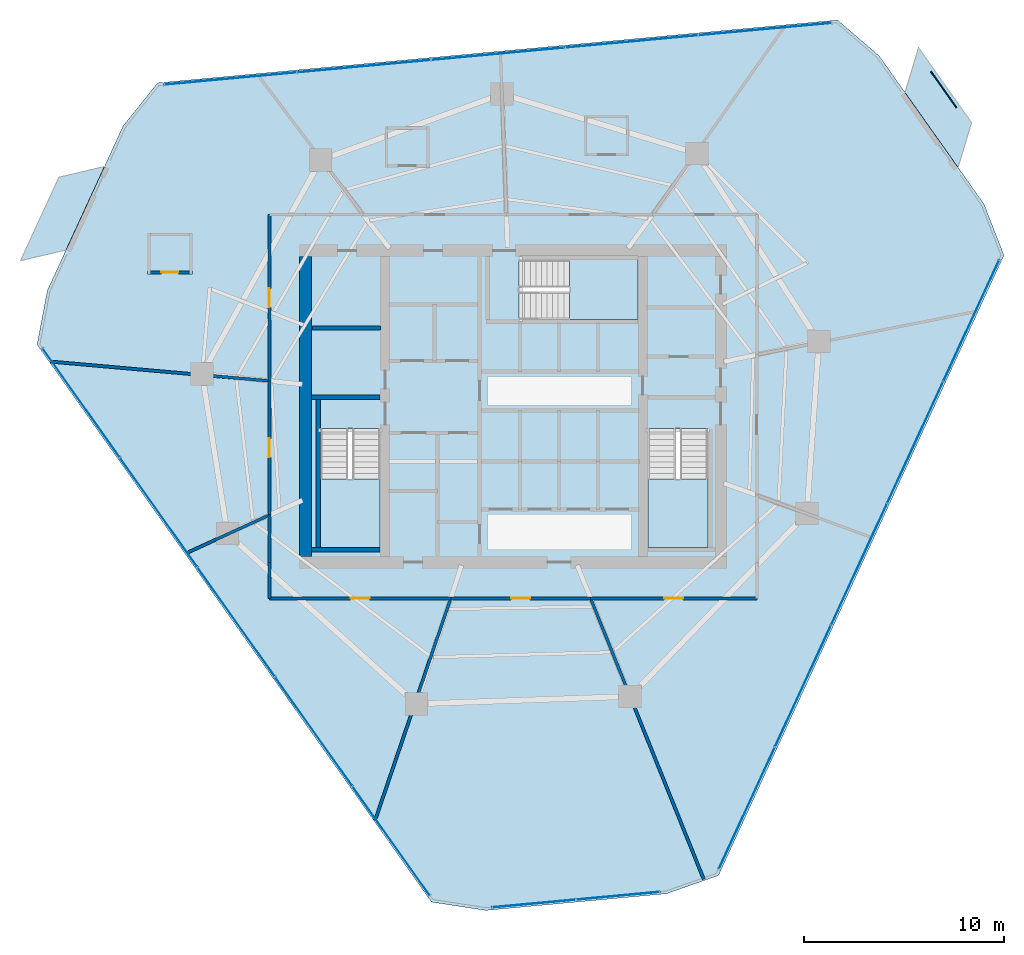
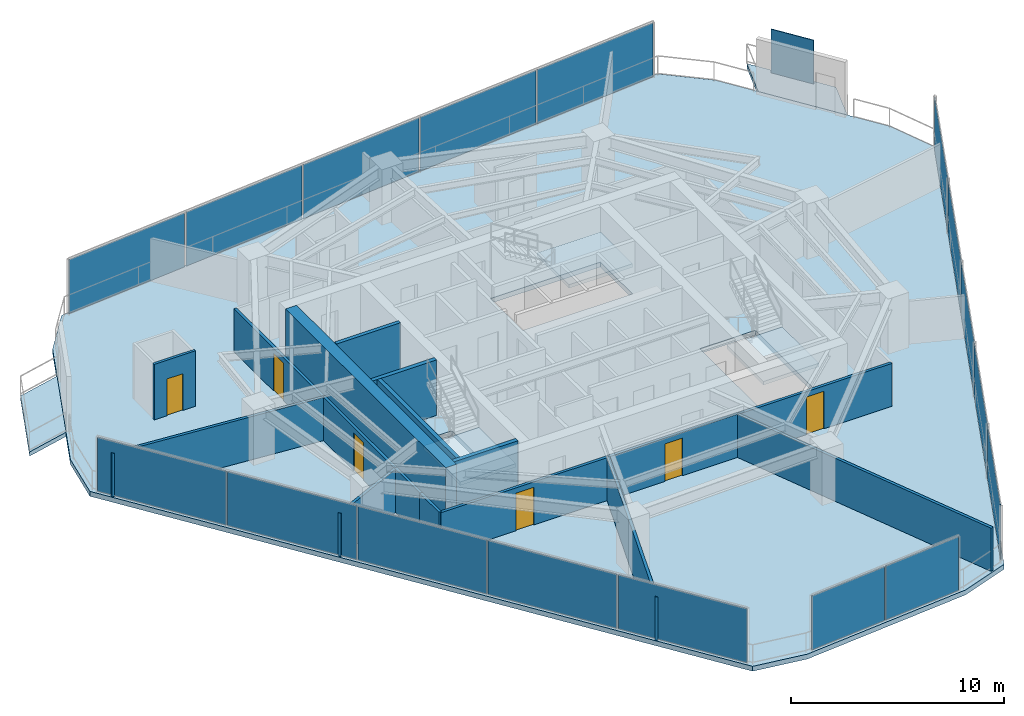
# One storey, part 24 of 30: 18 plates, 17 walls, 6 doors, 6 slabs, 6 openings, 7 elements without a shape of their own.
"""IFC4 building model written with IfcOpenShell, lengths in metres."""

from ifc_helpers import new_model, si_unit, direction, frame, frame_2d, origin, origin_2d, place, context, subcontext, project, spatial, polyline, rectangle, outline, extrude, material, layer, layer_set, type_object, element, fill, aggregate, save


model = new_model("IFC4")

# Units and contexts
model_context = context("Model", 3, precision=1e-05, world=origin(), true_north=direction((0.0, 1.0)))
body_context = subcontext(model_context, "Body", "Model", "MODEL_VIEW")
ifc_project = project(units=[si_unit("LENGTHUNIT", "METRE"), si_unit("AREAUNIT", "SQUARE_METRE"), si_unit("VOLUMEUNIT", "CUBIC_METRE"), si_unit("PLANEANGLEUNIT", "RADIAN"), si_unit("MASSUNIT", "GRAM", prefix="KILO")], contexts=[model_context])

# Site, building, storey
site_placement = place(None, origin())
site = spatial("IfcSite", under=ifc_project, at=site_placement, CompositionType="ELEMENT")
building_placement = place(site_placement, origin())
building = spatial("IfcBuilding", under=site, at=building_placement, Name="Qarnah Convention Tower", CompositionType="ELEMENT")
storey_placement = place(building_placement, frame((0.0, 0.0, 86.699951171875)))
storey = spatial("IfcBuildingStorey", under=building, at=storey_placement, Name="L22", CompositionType="ELEMENT", Elevation=86.699951171875)

# Curtain wall, plates
ifc_material_1 = material(Name="Tempered Low-E dark glass", Category="glass")
ifc_layer_1 = layer(ifc_material_1, 0.169921875)
ifc_layer_set_1 = layer_set([ifc_layer_1], Name="Tempered Low-E dark glass")
curtain_wall_type = type_object("IfcCurtainWallType", Name="CWS-02", PredefinedType="NOTDEFINED", material=ifc_layer_set_1)
curtain_wall_1_placement = place(storey_placement, origin())
curtain_wall_1 = element("IfcCurtainWall", 1, at=curtain_wall_1_placement, inside=storey, type_object=curtain_wall_type, Name="L22 unitised curtain wall CW-L22-F1", PredefinedType="NOTDEFINED")
ifc_layer_2 = layer(ifc_material_1, 0.030029296875)
ifc_layer_set_2 = layer_set([ifc_layer_2], Name="Tempered Low-E dark glass")
plate_type_1 = type_object("IfcPlateType", Name="PNL-T2", PredefinedType="CURTAIN_PANEL", material=ifc_layer_set_2)
plate_1_placement = place(storey_placement, frame((23.061279296875, 42.81689453125, 0.0400390625), z_axis=(0.0, 0.0, 1.0), x_axis=(0.995756103548, 0.092031419885, 0.0)))
plate_1 = element("IfcPlate", 2, at=plate_1_placement, type_object=plate_type_1, Name="CW-L22-F1 curtain panel 1.1", PredefinedType="CURTAIN_PANEL", context=body_context, shape_type="SweptSolid", body=[
    extrude(rectangle(XDim=6.635009765625, YDim=0.030029296875, at=origin_2d()), origin(), (0.0, 0.0, 1.0), 3.090087890625),
])
plate_2_placement = place(storey_placement, frame((29.747802734375, 43.43505859375, 0.0400390625), z_axis=(0.0, 0.0, 1.0), x_axis=(0.995756103548, 0.092031419885, 0.0)))
plate_2 = element("IfcPlate", 3, at=plate_2_placement, type_object=plate_type_1, Name="CW-L22-F1 curtain panel 2.1", PredefinedType="CURTAIN_PANEL", context=body_context, shape_type="SweptSolid", body=[
    extrude(rectangle(XDim=6.635009765625, YDim=0.030029296875, at=origin_2d()), origin(), (0.0, 0.0, 1.0), 3.090087890625),
])
plate_3_placement = place(storey_placement, frame((36.4345703125, 44.052978515625, 0.0400390625), z_axis=(0.0, 0.0, 1.0), x_axis=(0.995756103548, 0.092031419885, 0.0)))
plate_3 = element("IfcPlate", 4, at=plate_3_placement, type_object=plate_type_1, Name="CW-L22-F1 curtain panel 3.1", PredefinedType="CURTAIN_PANEL", context=body_context, shape_type="SweptSolid", body=[
    extrude(rectangle(XDim=6.635009765625, YDim=0.030029296875, at=origin_2d()), origin(), (0.0, 0.0, 1.0), 3.090087890625),
])
plate_4_placement = place(storey_placement, frame((43.12109375, 44.6708984375, 0.0400390625), z_axis=(0.0, 0.0, 1.0), x_axis=(0.995756103548, 0.092031419885, 0.0)))
plate_4 = element("IfcPlate", 5, at=plate_4_placement, type_object=plate_type_1, Name="CW-L22-F1 curtain panel 4.1", PredefinedType="CURTAIN_PANEL", context=body_context, shape_type="SweptSolid", body=[
    extrude(rectangle(XDim=6.635009765625, YDim=0.030029296875, at=origin_2d()), origin(), (0.0, 0.0, 1.0), 3.090087890625),
])
plate_5_placement = place(storey_placement, frame((49.8076171875, 45.2890625, 0.0400390625), z_axis=(0.0, 0.0, 1.0), x_axis=(0.995756103548, 0.092031419885, 0.0)))
plate_5 = element("IfcPlate", 6, at=plate_5_placement, type_object=plate_type_1, Name="CW-L22-F1 curtain panel 5.1", PredefinedType="CURTAIN_PANEL", context=body_context, shape_type="SweptSolid", body=[
    extrude(rectangle(XDim=6.635009765625, YDim=0.030029296875, at=origin_2d()), origin(), (0.0, 0.0, 1.0), 3.090087890625),
])
aggregate(curtain_wall_1, [plate_1, plate_2, plate_3, plate_4, plate_5])

curtain_wall_2_placement = place(storey_placement, origin())
curtain_wall_2 = element("IfcCurtainWall", 7, at=curtain_wall_2_placement, inside=storey, type_object=curtain_wall_type, Name="L22 unitised curtain wall CW-L22-F2", PredefinedType="NOTDEFINED")
plate_6_placement = place(storey_placement, frame((31.1005859375, 4.65185546875, 0.0400390625), z_axis=(0.0, 0.0, 1.0), x_axis=(-0.57758672318, 0.81632933134, 0.0)))
plate_6 = element("IfcPlate", 8, at=plate_6_placement, type_object=plate_type_1, Name="CW-L22-F2 curtain panel 1.1", PredefinedType="CURTAIN_PANEL", context=body_context, shape_type="SweptSolid", body=[
    extrude(rectangle(XDim=6.63525390625, YDim=0.030029296875, at=origin_2d()), origin(), (0.0, 0.0, 1.0), 3.090087890625),
])
plate_7_placement = place(storey_placement, frame((27.22216796875, 10.1337890625, 0.0400390625), z_axis=(0.0, 0.0, 1.0), x_axis=(-0.57758672318, 0.81632933134, 0.0)))
plate_7 = element("IfcPlate", 9, at=plate_7_placement, type_object=plate_type_1, Name="CW-L22-F2 curtain panel 2.1", PredefinedType="CURTAIN_PANEL", context=body_context, shape_type="SweptSolid", body=[
    extrude(rectangle(XDim=6.63525390625, YDim=0.030029296875, at=origin_2d()), origin(), (0.0, 0.0, 1.0), 3.090087890625),
])
plate_8_placement = place(storey_placement, frame((23.343505859375, 15.615478515625, 0.0400390625), z_axis=(0.0, 0.0, 1.0), x_axis=(-0.57758672318, 0.81632933134, 0.0)))
plate_8 = element("IfcPlate", 10, at=plate_8_placement, type_object=plate_type_1, Name="CW-L22-F2 curtain panel 3.1", PredefinedType="CURTAIN_PANEL", context=body_context, shape_type="SweptSolid", body=[
    extrude(rectangle(XDim=6.63525390625, YDim=0.030029296875, at=origin_2d()), origin(), (0.0, 0.0, 1.0), 3.090087890625),
])
plate_9_placement = place(storey_placement, frame((19.46484375, 21.097412109375, 0.0400390625), z_axis=(0.0, 0.0, 1.0), x_axis=(-0.57758672318, 0.81632933134, 0.0)))
plate_9 = element("IfcPlate", 11, at=plate_9_placement, type_object=plate_type_1, Name="CW-L22-F2 curtain panel 4.1", PredefinedType="CURTAIN_PANEL", context=body_context, shape_type="SweptSolid", body=[
    extrude(rectangle(XDim=6.63525390625, YDim=0.030029296875, at=origin_2d()), origin(), (0.0, 0.0, 1.0), 3.090087890625),
])
plate_10_placement = place(storey_placement, frame((15.586181640625, 26.5791015625, 0.0400390625), z_axis=(0.0, 0.0, 1.0), x_axis=(-0.57758672318, 0.81632933134, 0.0)))
plate_10 = element("IfcPlate", 12, at=plate_10_placement, type_object=plate_type_1, Name="CW-L22-F2 curtain panel 5.1", PredefinedType="CURTAIN_PANEL", context=body_context, shape_type="SweptSolid", body=[
    extrude(rectangle(XDim=6.63525390625, YDim=0.030029296875, at=origin_2d()), origin(), (0.0, 0.0, 1.0), 3.090087890625),
])
aggregate(curtain_wall_2, [plate_6, plate_7, plate_8, plate_9, plate_10])

curtain_wall_3_placement = place(storey_placement, origin())
curtain_wall_3 = element("IfcCurtainWall", 13, at=curtain_wall_3_placement, inside=storey, type_object=curtain_wall_type, Name="L22 unitised curtain wall CW-L22-F3", PredefinedType="NOTDEFINED")
plate_11_placement = place(storey_placement, frame((60.1328125, 30.6962890625, 0.0400390625), z_axis=(0.0, 0.0, 1.0), x_axis=(-0.418223177755, -0.908344303438, 0.0)))
plate_11 = element("IfcPlate", 14, at=plate_11_placement, type_object=plate_type_1, Name="CW-L22-F3 curtain panel 1.1", PredefinedType="CURTAIN_PANEL", context=body_context, shape_type="SweptSolid", body=[
    extrude(rectangle(XDim=6.635009765625, YDim=0.030029296875, at=origin_2d()), origin(), (0.0, 0.0, 1.0), 3.090087890625),
])
plate_12_placement = place(storey_placement, frame((57.324462890625, 24.5966796875, 0.0400390625), z_axis=(0.0, 0.0, 1.0), x_axis=(-0.418223177755, -0.908344303438, 0.0)))
plate_12 = element("IfcPlate", 15, at=plate_12_placement, type_object=plate_type_1, Name="CW-L22-F3 curtain panel 2.1", PredefinedType="CURTAIN_PANEL", context=body_context, shape_type="SweptSolid", body=[
    extrude(rectangle(XDim=6.635009765625, YDim=0.030029296875, at=origin_2d()), origin(), (0.0, 0.0, 1.0), 3.090087890625),
])
plate_13_placement = place(storey_placement, frame((54.51611328125, 18.4970703125, 0.0400390625), z_axis=(0.0, 0.0, 1.0), x_axis=(-0.418223177755, -0.908344303438, 0.0)))
plate_13 = element("IfcPlate", 16, at=plate_13_placement, type_object=plate_type_1, Name="CW-L22-F3 curtain panel 3.1", PredefinedType="CURTAIN_PANEL", context=body_context, shape_type="SweptSolid", body=[
    extrude(rectangle(XDim=6.635009765625, YDim=0.030029296875, at=origin_2d()), origin(), (0.0, 0.0, 1.0), 3.090087890625),
])
plate_14_placement = place(storey_placement, frame((51.70751953125, 12.3974609375, 0.0400390625), z_axis=(0.0, 0.0, 1.0), x_axis=(-0.418223177755, -0.908344303438, 0.0)))
plate_14 = element("IfcPlate", 17, at=plate_14_placement, type_object=plate_type_1, Name="CW-L22-F3 curtain panel 4.1", PredefinedType="CURTAIN_PANEL", context=body_context, shape_type="SweptSolid", body=[
    extrude(rectangle(XDim=6.635009765625, YDim=0.030029296875, at=origin_2d()), origin(), (0.0, 0.0, 1.0), 3.090087890625),
])
plate_15_placement = place(storey_placement, frame((48.899169921875, 6.2978515625, 0.0400390625), z_axis=(0.0, 0.0, 1.0), x_axis=(-0.418223177755, -0.908344303438, 0.0)))
plate_15 = element("IfcPlate", 18, at=plate_15_placement, type_object=plate_type_1, Name="CW-L22-F3 curtain panel 5.1", PredefinedType="CURTAIN_PANEL", context=body_context, shape_type="SweptSolid", body=[
    extrude(rectangle(XDim=6.635009765625, YDim=0.030029296875, at=origin_2d()), origin(), (0.0, 0.0, 1.0), 3.090087890625),
])
aggregate(curtain_wall_3, [plate_11, plate_12, plate_13, plate_14, plate_15])

curtain_wall_4_placement = place(storey_placement, origin())
curtain_wall_4 = element("IfcCurtainWall", 19, at=curtain_wall_4_placement, inside=storey, type_object=curtain_wall_type, Name="L22 unitised curtain wall CW-L22-F4", PredefinedType="NOTDEFINED")
plate_16_placement = place(storey_placement, frame((42.457763671875, 1.911865234375, 0.0400390625), z_axis=(0.0, 0.0, 1.0), x_axis=(-0.995746888317, -0.092131071886, 0.0)))
plate_16 = element("IfcPlate", 20, at=plate_16_placement, type_object=plate_type_1, Name="CW-L22-F4 curtain panel 1.1", PredefinedType="CURTAIN_PANEL", context=body_context, shape_type="SweptSolid", body=[
    extrude(rectangle(XDim=4.158447265625, YDim=0.030029296875, at=origin_2d()), origin(), (0.0, 0.0, 1.0), 3.090087890625),
])
plate_17_placement = place(storey_placement, frame((38.2373046875, 1.521240234375, 0.0400390625), z_axis=(0.0, 0.0, 1.0), x_axis=(-0.995746888317, -0.092131071886, 0.0)))
plate_17 = element("IfcPlate", 21, at=plate_17_placement, type_object=plate_type_1, Name="CW-L22-F4 curtain panel 2.1", PredefinedType="CURTAIN_PANEL", context=body_context, shape_type="SweptSolid", body=[
    extrude(rectangle(XDim=4.158447265625, YDim=0.030029296875, at=origin_2d()), origin(), (0.0, 0.0, 1.0), 3.090087890625),
])
aggregate(curtain_wall_4, [plate_16, plate_17])

# Plate
ifc_material_2 = material(Name="Black anodised aluminium", Category="aluminium")
ifc_layer_3 = layer(ifc_material_2, 0.044921875)
ifc_layer_set_3 = layer_set([ifc_layer_3], Name="Black anodised aluminium")
plate_type_2 = type_object("IfcPlateType", Name="SCR-BAL-18", PredefinedType="USERDEFINED", material=ifc_layer_set_3)
plate_18_placement = place(storey_placement, frame((58.7509765625, 42.257080078125, 0.0), z_axis=(0.0, 0.0, 1.0), x_axis=(0.577510011365, -0.81638360271, 0.0)))
element("IfcPlate", 22, at=plate_18_placement, inside=storey, type_object=plate_type_2, Name="L22 perforated desert solar screen BAL-L22-C1", ObjectType="SCREEN", PredefinedType="USERDEFINED", context=body_context, shape_type="SweptSolid", body=[
    extrude(rectangle(XDim=2.199951171875, YDim=0.044921875, at=origin_2d()), origin(), (0.0, 0.0, 1.0), 2.5),
])

# Slabs
ifc_material_3 = material(Name="Concrete C45/55", Category="concrete")
ifc_layer_4 = layer(ifc_material_3, 0.239990234375)
ifc_layer_set_4 = layer_set([ifc_layer_4], Name="Concrete C45/55")
slab_type_1 = type_object("IfcSlabType", Name="SLB-BAL-240", PredefinedType="USERDEFINED", material=ifc_layer_set_4)
slab_1_placement = place(storey_placement, frame((0.0, 0.0, -0.239990234375)))
element("IfcSlab", 23, at=slab_1_placement, inside=storey, type_object=slab_type_1, Name="L22 cantilevered balcony slab BAL-L22-C1", ObjectType="BALCONY", PredefinedType="USERDEFINED", context=body_context, shape_type="SweptSolid", body=[
    extrude(outline(polyline([(57.491943359375, 44.364990234375), (60.14892578125, 40.60888671875), (59.47412109375, 38.362060546875), (56.81689453125, 42.116943359375), (57.491943359375, 44.364990234375)])), origin(), (0.0, 0.0, 1.0), 0.239990234375),
])
slab_2_placement = place(storey_placement, frame((0.0, 0.0, -0.239990234375)))
element("IfcSlab", 24, at=slab_2_placement, inside=storey, type_object=slab_type_1, Name="L22 cantilevered balcony slab BAL-L22-C2", ObjectType="BALCONY", PredefinedType="USERDEFINED", context=body_context, shape_type="SweptSolid", body=[
    extrude(outline(polyline([(12.5439453125, 33.696044921875), (14.468017578125, 37.8740234375), (16.751953125, 38.4140625), (14.827880859375, 34.235107421875), (12.5439453125, 33.696044921875)])), origin(), (0.0, 0.0, 1.0), 0.239990234375),
])

# Stair, slab
ifc_material_4 = material(Name="Concrete C50/60", Category="concrete")
stair_type = type_object("IfcStairType", Name="STR-HTL", PredefinedType="HALF_TURN_STAIR", material=ifc_material_4)
stair_1_placement = place(storey_placement, origin())
stair_1 = element("IfcStair", 25, at=stair_1_placement, inside=storey, type_object=stair_type, Name="L22 Core exit stair ST-1", PredefinedType="HALF_TURN_STAIR")
ifc_layer_5 = layer(ifc_material_4, 0.199951171875)
ifc_layer_set_5 = layer_set([ifc_layer_5], Name="Concrete C50/60")
slab_type_2 = type_object("IfcSlabType", Name="SLB-LANDING-200", PredefinedType="LANDING", material=ifc_layer_set_5)
slab_3_placement = place(storey_placement, frame((0.0, 0.0, 1.525146484375)))
slab_3 = element("IfcSlab", 26, at=slab_3_placement, type_object=slab_type_2, Name="ST-1 landing 1", PredefinedType="LANDING", context=body_context, shape_type="SweptSolid", body=[
    extrude(outline(polyline([(27.550048828125, 22.780029296875), (27.550048828125, 19.35009765625), (30.550048828125, 19.35009765625), (30.550048828125, 22.780029296875), (27.550048828125, 22.780029296875)])), origin(), (0.0, 0.0, 1.0), 0.199951171875),
])
aggregate(stair_1, [slab_3])

stair_2_placement = place(storey_placement, origin())
stair_2 = element("IfcStair", 27, at=stair_2_placement, inside=storey, type_object=stair_type, Name="L22 Core exit stair ST-2", PredefinedType="HALF_TURN_STAIR")
slab_4_placement = place(storey_placement, frame((0.0, 0.0, 1.525146484375)))
slab_4 = element("IfcSlab", 28, at=slab_4_placement, type_object=slab_type_2, Name="ST-2 landing 1", PredefinedType="LANDING", context=body_context, shape_type="SweptSolid", body=[
    extrude(outline(polyline([(43.949951171875, 22.780029296875), (43.949951171875, 19.35009765625), (46.949951171875, 19.35009765625), (46.949951171875, 22.780029296875), (43.949951171875, 22.780029296875)])), origin(), (0.0, 0.0, 1.0), 0.199951171875),
])
aggregate(stair_2, [slab_4])

stair_3_placement = place(storey_placement, origin())
stair_3 = element("IfcStair", 29, at=stair_3_placement, inside=storey, type_object=stair_type, Name="L22 Core exit stair ST-3", PredefinedType="HALF_TURN_STAIR")
slab_5_placement = place(storey_placement, frame((0.0, 0.0, 1.525146484375)))
slab_5 = element("IfcSlab", 30, at=slab_5_placement, type_object=slab_type_2, Name="ST-3 landing 1", PredefinedType="LANDING", context=body_context, shape_type="SweptSolid", body=[
    extrude(outline(polyline([(40.02001953125, 30.75), (43.449951171875, 30.75), (43.449951171875, 33.75), (40.02001953125, 33.75), (40.02001953125, 30.75)])), origin(), (0.0, 0.0, 1.0), 0.199951171875),
])
aggregate(stair_3, [slab_5])

# Slab
ifc_layer_6 = layer(ifc_material_3, 0.280029296875)
ifc_layer_set_6 = layer_set([ifc_layer_6], Name="Concrete C45/55")
slab_type_3 = type_object("IfcSlabType", Name="SLB-TWR-280", PredefinedType="FLOOR", material=ifc_layer_set_6)
slab_6_placement = place(storey_placement, frame((0.0, 0.0, -0.280029296875)))
element("IfcSlab", 31, at=slab_6_placement, inside=storey, type_object=slab_type_3, Name="L22 structural floor slab", PredefinedType="FLOOR", context=body_context, shape_type="SweptSolid", body=[
    extrude(outline(polyline([(53.43896484375, 45.7451171875), (19.407958984375, 42.60009765625), (17.68505859375, 40.448974609375), (13.887939453125, 32.2041015625), (13.3759765625, 29.49609375), (33.114990234375, 1.596923828125), (35.839111328125, 1.178955078125), (44.8779296875, 2.014892578125), (47.47900390625, 2.925048828125), (61.77099609375, 33.968017578125), (60.77099609375, 36.535888671875), (55.528076171875, 43.947021484375), (53.43896484375, 45.7451171875)]), holes=[polyline([(27.550048828125, 25.300048828125), (27.550048828125, 19.35009765625), (30.550048828125, 19.35009765625), (30.550048828125, 25.300048828125), (27.550048828125, 25.300048828125)]), polyline([(43.949951171875, 25.300048828125), (43.949951171875, 19.35009765625), (46.949951171875, 19.35009765625), (46.949951171875, 25.300048828125), (43.949951171875, 25.300048828125)]), polyline([(37.5, 30.75), (43.449951171875, 30.75), (43.449951171875, 33.75), (37.5, 33.75), (37.5, 30.75)])]), origin(), (0.0, 0.0, 1.0), 0.280029296875),
])

# Walls
ifc_material_5 = material(Name="Concrete C60/75", Category="concrete")
ifc_layer_7 = layer(ifc_material_5, 0.60009765625)
ifc_layer_set_7 = layer_set([ifc_layer_7], Name="Concrete C60/75")
wall_type_1 = type_object("IfcWallType", Name="WL-CORE-600", PredefinedType="SHEAR", material=ifc_layer_set_7)
wall_1_placement = place(storey_placement, frame((26.800048828125, 18.89990234375, 0.0), z_axis=(0.0, 0.0, 1.0), x_axis=(0.0, 1.0, 0.0)))
element("IfcWall", 32, at=wall_1_placement, inside=storey, type_object=wall_type_1, Name="L22 core west shear wall", PredefinedType="SHEAR", context=body_context, shape_type="SweptSolid", body=[
    extrude(rectangle(XDim=15.0, YDim=0.60009765625, at=frame_2d((7.5, 0.0))), origin(), (0.0, 0.0, 1.0), 3.170166015625),
])
ifc_layer_8 = layer(ifc_material_3, 0.199951171875)
ifc_layer_set_8 = layer_set([ifc_layer_8], Name="Concrete C45/55")
wall_type_2 = type_object("IfcWallType", Name="WL-CORE-PART-200", PredefinedType="SOLIDWALL", material=ifc_layer_set_8)
wall_2_placement = place(storey_placement, frame((27.14990234375, 30.320068359375, 0.0), z_axis=(0.0, 0.0, 1.0), x_axis=(1.0, 0.0, 0.0)))
element("IfcWall", 33, at=wall_2_placement, inside=storey, type_object=wall_type_2, Name="L22 interior wall IW-L22-ELRN", PredefinedType="SOLIDWALL", context=body_context, shape_type="SweptSolid", body=[
    extrude(rectangle(XDim=3.4501953125, YDim=0.199951171875, at=frame_2d((1.72509765625, 0.0))), origin(), (0.0, 0.0, 1.0), 3.170166015625),
])
ifc_layer_9 = layer(ifc_material_5, 0.219970703125)
ifc_layer_set_9 = layer_set([ifc_layer_9], Name="Concrete C60/75")
wall_type_3 = type_object("IfcWallType", Name="WL-CORE-STAIR-220", PredefinedType="SHEAR", material=ifc_layer_set_9)
wall_3_placement = place(storey_placement, frame((27.10009765625, 26.860107421875, 0.0), z_axis=(0.0, 0.0, 1.0), x_axis=(1.0, 0.0, 0.0)))
element("IfcWall", 34, at=wall_3_placement, inside=storey, type_object=wall_type_3, Name="L22 stair shaft shear wall SW-L22-ST1N", PredefinedType="SHEAR", context=body_context, shape_type="SweptSolid", body=[
    extrude(rectangle(XDim=3.449951171875, YDim=0.219970703125, at=frame_2d((1.72509765625, 0.0))), origin(), (0.0, 0.0, 1.0), 3.170166015625),
])
wall_4_placement = place(storey_placement, frame((27.43994140625, 19.35009765625, 0.0), z_axis=(0.0, 0.0, 1.0), x_axis=(0.0, 1.0, 0.0)))
element("IfcWall", 35, at=wall_4_placement, inside=storey, type_object=wall_type_3, Name="L22 stair shaft shear wall SW-L22-ST1W", PredefinedType="SHEAR", context=body_context, shape_type="SweptSolid", body=[
    extrude(rectangle(XDim=7.39990234375, YDim=0.219970703125, at=frame_2d((3.699951171875, 0.0))), origin(), (0.0, 0.0, 1.0), 3.170166015625),
])
wall_5_placement = place(storey_placement, frame((27.10009765625, 19.239990234375, 0.0), z_axis=(0.0, 0.0, 1.0), x_axis=(1.0, 0.0, 0.0)))
element("IfcWall", 36, at=wall_5_placement, inside=storey, type_object=wall_type_3, Name="L22 stair shaft shear wall SW-L22-ST1S", PredefinedType="SHEAR", context=body_context, shape_type="SweptSolid", body=[
    extrude(rectangle(XDim=3.449951171875, YDim=0.219970703125, at=frame_2d((1.72509765625, 0.0))), origin(), (0.0, 0.0, 1.0), 3.170166015625),
])
ifc_material_6 = material(Name="Gypsum partition board")
ifc_layer_10 = layer(ifc_material_6, 0.14990234375)
ifc_layer_set_10 = layer_set([ifc_layer_10], Name="Gypsum partition board")
wall_type_4 = type_object("IfcWallType", Name="WL-SUITE-150", PredefinedType="PARTITIONING", material=ifc_layer_set_10)
wall_6_placement = place(storey_placement, frame((14.050048828125, 28.64794921875, 0.0), z_axis=(0.0, 0.0, 1.0), x_axis=(0.996130707866, -0.087884087557, 0.0)))
element("IfcWall", 37, at=wall_6_placement, inside=storey, type_object=wall_type_4, Name="L22 interior wall IW-L22-R-22", PredefinedType="PARTITIONING", context=body_context, shape_type="SweptSolid", body=[
    extrude(rectangle(XDim=10.992431640625, YDim=0.14990234375, at=frame_2d((5.49609375, 0.0))), origin(), (0.0, 0.0, 1.0), 2.467041015625),
])

# Wall, opening, door
wall_7_placement = place(storey_placement, frame((25.0, 27.681884765625, 0.0), z_axis=(0.0, 0.0, 1.0), x_axis=(0.0, 1.0, 0.0)))
wall_7 = element("IfcWall", 38, at=wall_7_placement, inside=storey, type_object=wall_type_4, Name="L22 interior wall IW-L22-R-23", PredefinedType="PARTITIONING", context=body_context, shape_type="SweptSolid", body=[
    extrude(rectangle(XDim=8.318115234375, YDim=0.14990234375, at=frame_2d((4.1591796875, 0.0))), origin(), (0.0, 0.0, 1.0), 2.455078125),
])
opening_1_placement = place(wall_7_placement, frame((3.68408203125, 0.0, 0.0)))
opening_1 = element("IfcOpeningElement", 39, at=opening_1_placement, cuts=wall_7, Name="Opening D-2221", PredefinedType="OPENING", context=body_context, shape_type="SweptSolid", body=[
    extrude(rectangle(XDim=0.949951171875, YDim=2.14990234375, at=frame_2d((0.47509765625, 1.074951171875))), frame((0.0, 0.0849609375, 0.0), z_axis=(0.0, -1.0, 0.0), x_axis=(1.0, 0.0, 0.0)), (0.0, 0.0, 1.0), 0.169921875),
])
ifc_material_7 = material(Name="Oak timber veneer", Category="wood")
door_type_1 = type_object("IfcDoorType", Name="DT-HOTEL-950", OperationType="NOTDEFINED", PredefinedType="DOOR", material=ifc_material_7)
door_1_placement = place(opening_1_placement, origin())
door_1 = element("IfcDoor", 40, at=door_1_placement, inside=storey, type_object=door_type_1, Name="Door D-2221", OperationType="SINGLE_SWING_RIGHT", OverallHeight=2.14990234375, OverallWidth=0.949951171875, PredefinedType="DOOR", context=body_context, shape_type="SweptSolid", body=[
    extrude(rectangle(XDim=0.949951171875, YDim=2.14990234375, at=frame_2d((0.47509765625, 1.074951171875))), frame((0.0, 0.02490234375, 0.0), z_axis=(0.0, -1.0, 0.0), x_axis=(1.0, 0.0, 0.0)), (0.0, 0.0, 1.0), 0.050048828125),
])
fill(opening_1, door_1)

# Wall
wall_8_placement = place(storey_placement, frame((20.85400390625, 19.06298828125, 0.0), z_axis=(0.0, 0.0, 1.0), x_axis=(0.908667517005, 0.417520470804, 0.0)))
element("IfcWall", 41, at=wall_8_placement, inside=storey, type_object=wall_type_4, Name="L22 interior wall IW-L22-R-26", PredefinedType="PARTITIONING", context=body_context, shape_type="SweptSolid", body=[
    extrude(rectangle(XDim=4.562744140625, YDim=0.14990234375, at=frame_2d((2.28125, 0.0))), origin(), (0.0, 0.0, 1.0), 2.467041015625),
])

# Wall, opening, door
wall_9_placement = place(storey_placement, frame((25.0, 20.968017578125, 0.0), z_axis=(0.0, 0.0, 1.0), x_axis=(0.0, 1.0, 0.0)))
wall_9 = element("IfcWall", 42, at=wall_9_placement, inside=storey, type_object=wall_type_4, Name="L22 interior wall IW-L22-R-27", PredefinedType="PARTITIONING", context=body_context, shape_type="SweptSolid", body=[
    extrude(rectangle(XDim=6.7138671875, YDim=0.14990234375, at=frame_2d((3.35693359375, 0.0))), origin(), (0.0, 0.0, 1.0), 2.467041015625),
])
opening_2_placement = place(wall_9_placement, frame((2.882080078125, 0.0, 0.0)))
opening_2 = element("IfcOpeningElement", 43, at=opening_2_placement, cuts=wall_9, Name="Opening D-2223", PredefinedType="OPENING", context=body_context, shape_type="SweptSolid", body=[
    extrude(rectangle(XDim=0.949951171875, YDim=2.14990234375, at=frame_2d((0.47509765625, 1.074951171875))), frame((0.0, 0.0849609375, 0.0), z_axis=(0.0, -1.0, 0.0), x_axis=(1.0, 0.0, 0.0)), (0.0, 0.0, 1.0), 0.169921875),
])
door_2_placement = place(opening_2_placement, origin())
door_2 = element("IfcDoor", 44, at=door_2_placement, inside=storey, type_object=door_type_1, Name="Door D-2223", OperationType="SINGLE_SWING_RIGHT", OverallHeight=2.14990234375, OverallWidth=0.949951171875, PredefinedType="DOOR", context=body_context, shape_type="SweptSolid", body=[
    extrude(rectangle(XDim=0.949951171875, YDim=2.14990234375, at=frame_2d((0.47509765625, 1.074951171875))), frame((0.0, 0.02490234375, 0.0), z_axis=(0.0, -1.0, 0.0), x_axis=(1.0, 0.0, 0.0)), (0.0, 0.0, 1.0), 0.050048828125),
])
fill(opening_2, door_2)

# Wall
wall_10_placement = place(storey_placement, frame((30.297119140625, 5.69189453125, 0.0), z_axis=(0.0, 0.0, 1.0), x_axis=(0.322449834119, 0.946586554139, 0.0)))
element("IfcWall", 45, at=wall_10_placement, inside=storey, type_object=wall_type_4, Name="L22 interior wall IW-L22-R-28", PredefinedType="PARTITIONING", context=body_context, shape_type="SweptSolid", body=[
    extrude(rectangle(XDim=11.73486328125, YDim=0.14990234375, at=frame_2d((5.867431640625, 0.0))), origin(), (0.0, 0.0, 1.0), 2.467041015625),
])

# Wall, opening, door
wall_11_placement = place(storey_placement, frame((34.0810546875, 16.800048828125, 0.0), z_axis=(0.0, 0.0, 1.0), x_axis=(-1.0, 0.0, 0.0)))
wall_11 = element("IfcWall", 46, at=wall_11_placement, inside=storey, type_object=wall_type_4, Name="L22 interior wall IW-L22-R-29", PredefinedType="PARTITIONING", context=body_context, shape_type="SweptSolid", body=[
    extrude(rectangle(XDim=9.0810546875, YDim=0.14990234375, at=frame_2d((4.54052734375, 0.0))), origin(), (0.0, 0.0, 1.0), 2.455078125),
])
opening_3_placement = place(wall_11_placement, frame((4.06591796875, 0.0, 0.0)))
opening_3 = element("IfcOpeningElement", 47, at=opening_3_placement, cuts=wall_11, Name="Opening D-2224", PredefinedType="OPENING", context=body_context, shape_type="SweptSolid", body=[
    extrude(rectangle(XDim=0.949951171875, YDim=2.14990234375, at=frame_2d((0.47509765625, 1.074951171875))), frame((0.0, 0.0849609375, 0.0), z_axis=(0.0, -1.0, 0.0), x_axis=(1.0, 0.0, 0.0)), (0.0, 0.0, 1.0), 0.169921875),
])
door_3_placement = place(opening_3_placement, origin())
door_3 = element("IfcDoor", 48, at=door_3_placement, inside=storey, type_object=door_type_1, Name="Door D-2224", OperationType="SINGLE_SWING_LEFT", OverallHeight=2.14990234375, OverallWidth=0.949951171875, PredefinedType="DOOR", context=body_context, shape_type="SweptSolid", body=[
    extrude(rectangle(XDim=0.949951171875, YDim=2.14990234375, at=frame_2d((0.47509765625, 1.074951171875))), frame((0.0, 0.02490234375, 0.0), z_axis=(0.0, -1.0, 0.0), x_axis=(1.0, 0.0, 0.0)), (0.0, 0.0, 1.0), 0.050048828125),
])
fill(opening_3, door_3)

# Walls
wall_12_placement = place(storey_placement, frame((25.0, 16.800048828125, 0.0), z_axis=(0.0, 0.0, 1.0), x_axis=(0.0, 1.0, 0.0)))
element("IfcWall", 49, at=wall_12_placement, inside=storey, type_object=wall_type_4, Name="L22 interior wall IW-L22-R-30", PredefinedType="PARTITIONING", context=body_context, shape_type="SweptSolid", body=[
    extrude(rectangle(XDim=1.800048828125, YDim=0.14990234375, at=frame_2d((0.89990234375, 0.0))), origin(), (0.0, 0.0, 1.0), 2.455078125),
])
wall_13_placement = place(storey_placement, frame((25.0, 18.60009765625, 0.0), z_axis=(0.0, 0.0, 1.0), x_axis=(0.0, 1.0, 0.0)))
element("IfcWall", 50, at=wall_13_placement, inside=storey, type_object=wall_type_4, Name="L22 interior wall IW-L22-R-31", PredefinedType="PARTITIONING", context=body_context, shape_type="SweptSolid", body=[
    extrude(rectangle(XDim=2.367919921875, YDim=0.14990234375, at=frame_2d((1.18408203125, 0.0))), origin(), (0.0, 0.0, 1.0), 2.467041015625),
])
wall_14_placement = place(storey_placement, frame((46.739990234375, 2.7509765625, 0.0), z_axis=(0.0, 0.0, 1.0), x_axis=(-0.373737775372, 0.92753440651, 0.0)))
element("IfcWall", 51, at=wall_14_placement, inside=storey, type_object=wall_type_4, Name="L22 interior wall IW-L22-R-32", PredefinedType="PARTITIONING", context=body_context, shape_type="SweptSolid", body=[
    extrude(rectangle(XDim=15.146728515625, YDim=0.14990234375, at=frame_2d((7.5732421875, 0.0))), origin(), (0.0, 0.0, 1.0), 2.467041015625),
])

# Wall, opening, door
wall_15_placement = place(storey_placement, frame((41.0791015625, 16.800048828125, 0.0), z_axis=(0.0, 0.0, 1.0), x_axis=(-1.0, 0.0, 0.0)))
wall_15 = element("IfcWall", 52, at=wall_15_placement, inside=storey, type_object=wall_type_4, Name="L22 interior wall IW-L22-R-33", PredefinedType="PARTITIONING", context=body_context, shape_type="SweptSolid", body=[
    extrude(rectangle(XDim=6.998046875, YDim=0.14990234375, at=frame_2d((3.4990234375, 0.0))), origin(), (0.0, 0.0, 1.0), 2.467041015625),
])
opening_4_placement = place(wall_15_placement, frame((3.02392578125, 0.0, 0.0)))
opening_4 = element("IfcOpeningElement", 53, at=opening_4_placement, cuts=wall_15, Name="Opening D-2225", PredefinedType="OPENING", context=body_context, shape_type="SweptSolid", body=[
    extrude(rectangle(XDim=0.949951171875, YDim=2.14990234375, at=frame_2d((0.47509765625, 1.074951171875))), frame((0.0, 0.0849609375, 0.0), z_axis=(0.0, -1.0, 0.0), x_axis=(1.0, 0.0, 0.0)), (0.0, 0.0, 1.0), 0.169921875),
])
door_4_placement = place(opening_4_placement, origin())
door_4 = element("IfcDoor", 54, at=door_4_placement, inside=storey, type_object=door_type_1, Name="Door D-2225", OperationType="SINGLE_SWING_RIGHT", OverallHeight=2.14990234375, OverallWidth=0.949951171875, PredefinedType="DOOR", context=body_context, shape_type="SweptSolid", body=[
    extrude(rectangle(XDim=0.949951171875, YDim=2.14990234375, at=frame_2d((0.47509765625, 1.074951171875))), frame((0.0, 0.02490234375, 0.0), z_axis=(0.0, -1.0, 0.0), x_axis=(1.0, 0.0, 0.0)), (0.0, 0.0, 1.0), 0.050048828125),
])
fill(opening_4, door_4)

wall_16_placement = place(storey_placement, frame((49.39990234375, 16.800048828125, 0.0), z_axis=(0.0, 0.0, 1.0), x_axis=(-1.0, 0.0, 0.0)))
wall_16 = element("IfcWall", 55, at=wall_16_placement, inside=storey, type_object=wall_type_4, Name="L22 interior wall IW-L22-R-37", PredefinedType="PARTITIONING", context=body_context, shape_type="SweptSolid", body=[
    extrude(rectangle(XDim=8.32080078125, YDim=0.14990234375, at=frame_2d((4.160400390625, 0.0))), origin(), (0.0, 0.0, 1.0), 2.455078125),
])
opening_5_placement = place(wall_16_placement, frame((3.68505859375, 0.0, 0.0)))
opening_5 = element("IfcOpeningElement", 56, at=opening_5_placement, cuts=wall_16, Name="Opening D-2226", PredefinedType="OPENING", context=body_context, shape_type="SweptSolid", body=[
    extrude(rectangle(XDim=0.949951171875, YDim=2.14990234375, at=frame_2d((0.47509765625, 1.074951171875))), frame((0.0, 0.0849609375, 0.0), z_axis=(0.0, -1.0, 0.0), x_axis=(1.0, 0.0, 0.0)), (0.0, 0.0, 1.0), 0.169921875),
])
door_5_placement = place(opening_5_placement, origin())
door_5 = element("IfcDoor", 57, at=door_5_placement, inside=storey, type_object=door_type_1, Name="Door D-2226", OperationType="SINGLE_SWING_LEFT", OverallHeight=2.14990234375, OverallWidth=0.949951171875, PredefinedType="DOOR", context=body_context, shape_type="SweptSolid", body=[
    extrude(rectangle(XDim=0.949951171875, YDim=2.14990234375, at=frame_2d((0.47509765625, 1.074951171875))), frame((0.0, 0.02490234375, 0.0), z_axis=(0.0, -1.0, 0.0), x_axis=(1.0, 0.0, 0.0)), (0.0, 0.0, 1.0), 0.050048828125),
])
fill(opening_5, door_5)

ifc_layer_11 = layer(ifc_material_6, 0.139892578125)
ifc_layer_set_11 = layer_set([ifc_layer_11], Name="Gypsum partition board")
wall_type_5 = type_object("IfcWallType", Name="WL-WET-140", PredefinedType="PARTITIONING", material=ifc_layer_set_11)
wall_17_placement = place(storey_placement, frame((18.905029296875, 33.10888671875, 0.0), z_axis=(0.0, 0.0, 1.0), x_axis=(1.0, 0.0, 0.0)))
wall_17 = element("IfcWall", 58, at=wall_17_placement, inside=storey, type_object=wall_type_5, Name="L22 interior wall IW-L22-ENS03-1", PredefinedType="PARTITIONING", context=body_context, shape_type="SweptSolid", body=[
    extrude(rectangle(XDim=2.239990234375, YDim=0.139892578125, at=frame_2d((1.1201171875, 0.0))), origin(), (0.0, 0.0, 1.0), 3.170166015625),
])
opening_6_placement = place(wall_17_placement, frame((0.695068359375, 0.0, 0.0)))
opening_6 = element("IfcOpeningElement", 59, at=opening_6_placement, cuts=wall_17, Name="Opening D-2222", PredefinedType="OPENING", context=body_context, shape_type="SweptSolid", body=[
    extrude(rectangle(XDim=0.85009765625, YDim=2.10009765625, at=frame_2d((0.425048828125, 1.050048828125))), frame((0.0, 0.079833984375, 0.0), z_axis=(0.0, -1.0, 0.0), x_axis=(1.0, 0.0, 0.0)), (0.0, 0.0, 1.0), 0.159912109375),
])
door_type_2 = type_object("IfcDoorType", Name="DT-BATH-850", OperationType="NOTDEFINED", PredefinedType="DOOR", material=ifc_material_7)
door_6_placement = place(opening_6_placement, origin())
door_6 = element("IfcDoor", 60, at=door_6_placement, inside=storey, type_object=door_type_2, Name="Door D-2222", OperationType="SINGLE_SWING_LEFT", OverallHeight=2.10009765625, OverallWidth=0.85009765625, PredefinedType="DOOR", context=body_context, shape_type="SweptSolid", body=[
    extrude(rectangle(XDim=0.85009765625, YDim=2.10009765625, at=frame_2d((0.425048828125, 1.050048828125))), frame((0.0, 0.02490234375, 0.0), z_axis=(0.0, -1.0, 0.0), x_axis=(1.0, 0.0, 0.0)), (0.0, 0.0, 1.0), 0.050048828125),
])
fill(opening_6, door_6)

save(model, "model.ifc")
